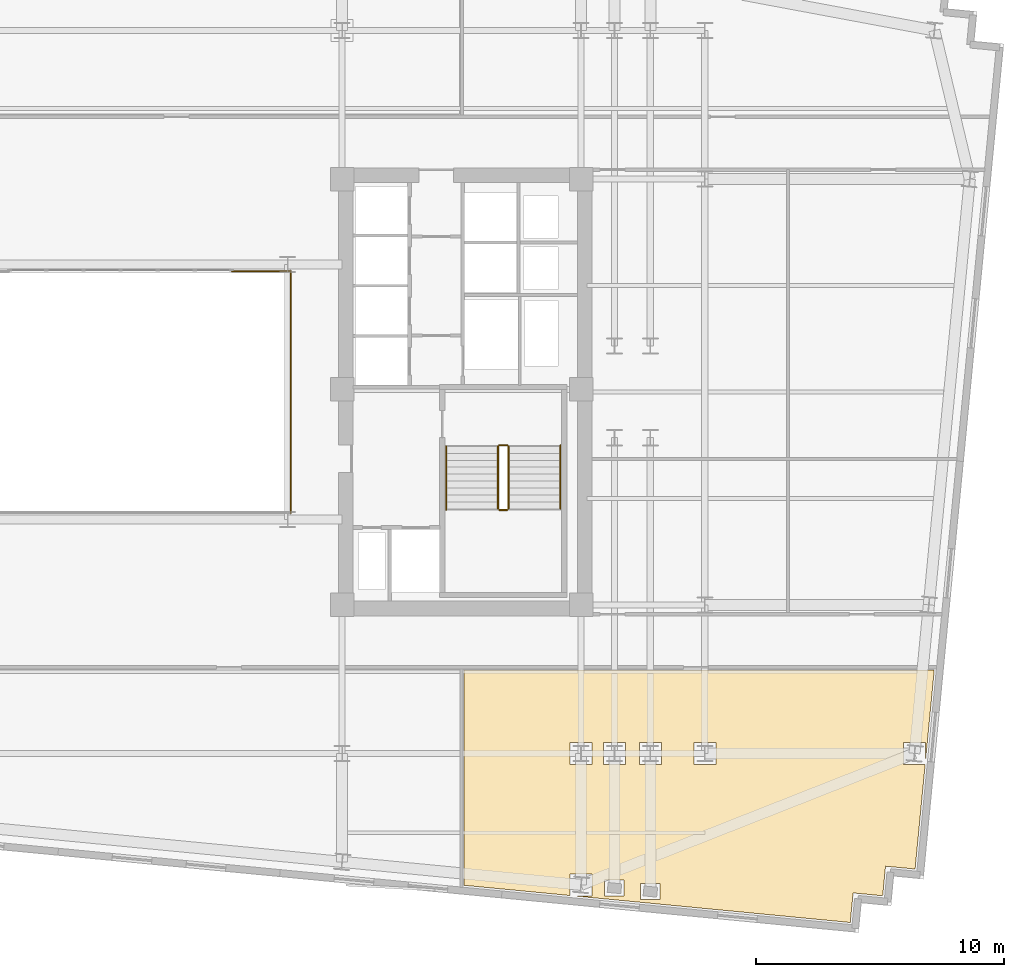
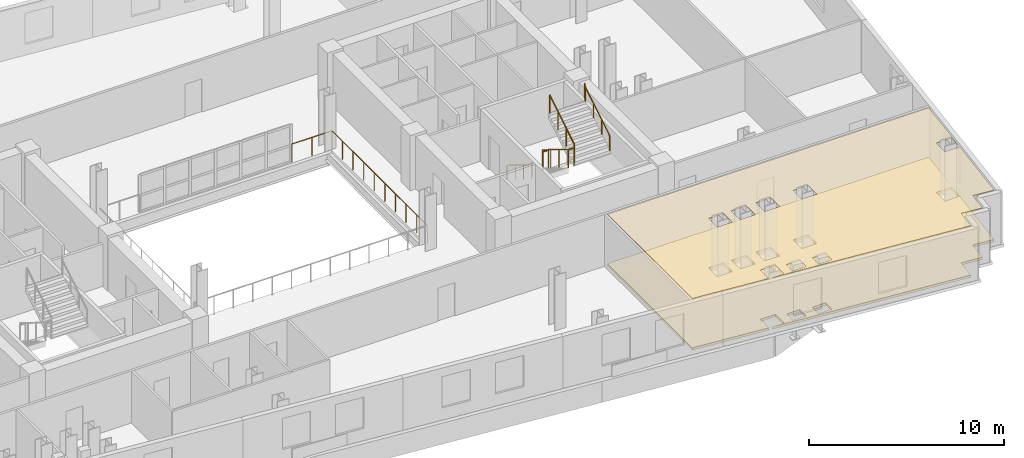
# One storey, part 10 of 11: 8 railings, 2 coverings.
"""IFC4 building model written with IfcOpenShell, lengths in metres."""

from ifc_helpers import new_model, si_unit, direction, frame, origin, origin_2d, place, context, subcontext, project, spatial, polyline, circle, outline, extrude, material, layer, layer_set, type_object, element, save


model = new_model("IFC4")

# Units and contexts
model_context = context("Model", 3, precision=1e-05, world=origin(), true_north=direction((0.0, 1.0)))
body_context = subcontext(model_context, "Body", "Model", "MODEL_VIEW")
ifc_project = project(units=[si_unit("LENGTHUNIT", "METRE"), si_unit("AREAUNIT", "SQUARE_METRE"), si_unit("VOLUMEUNIT", "CUBIC_METRE"), si_unit("PLANEANGLEUNIT", "RADIAN"), si_unit("MASSUNIT", "GRAM", prefix="KILO")], contexts=[model_context])

# Site, building, storey
site_placement = place(None, origin())
site = spatial("IfcSite", under=ifc_project, at=site_placement, CompositionType="ELEMENT")
building_placement = place(site_placement, origin())
building = spatial("IfcBuilding", under=site, at=building_placement, Name="Velakula Bourse", CompositionType="ELEMENT")
storey_placement = place(building_placement, frame((0.0, 0.0, 160.39990234375)))
storey = spatial("IfcBuildingStorey", under=building, at=storey_placement, Name="L43", CompositionType="ELEMENT", Elevation=160.39990234375)

# Coverings
ifc_material_1 = material(Name="Mineral-fibre acoustic suspended ceiling tile", Category="mineral")
ifc_layer_1 = layer(ifc_material_1, 0.0400390625, Name="Mineral-fibre acoustic suspended ceiling tile", Category="mineral")
ifc_layer_set_1 = layer_set([ifc_layer_1], Name="Mineral-fibre acoustic suspended ceiling tile")
covering_type_1 = type_object("IfcCoveringType", Name="COV-CEIL-AC-40", PredefinedType="CEILING", material=ifc_layer_set_1)
covering_1_placement = place(storey_placement, frame((0.0, 0.0, 3.2001953125)))
element("IfcCovering", 1, at=covering_1_placement, inside=storey, type_object=covering_type_1, Name="L43 Tea Room Kitchenette Acoustic Suspended Ceiling", PredefinedType="CEILING", context=body_context, shape_type="SweptSolid", body=[
    extrude(outline(polyline([(32.51611328125, -14.88232421875), (32.51611328125, -14.155029296875), (31.626220703125, -14.155029296875), (31.626220703125, -15.044921875), (32.50048828125, -15.044921875), (32.093505859375, -19.27099609375), (30.899169921875, -19.156005859375), (30.7841796875, -20.3505859375), (29.589599609375, -20.235595703125), (29.474609375, -21.429931640625), (18.3173828125, -20.355712890625), (19.044921875, -20.355712890625), (19.044921875, -19.465576171875), (18.155029296875, -19.465576171875), (18.155029296875, -20.340087890625), (13.865966796875, -19.927001953125), (13.865966796875, -11.22998046875), (32.867919921875, -11.22998046875), (32.51611328125, -14.88232421875)]), holes=[polyline([(18.155029296875, -15.044921875), (19.044921875, -15.044921875), (19.044921875, -14.155029296875), (18.155029296875, -14.155029296875), (18.155029296875, -15.044921875)]), polyline([(21.0048828125, -20.500244140625), (21.794921875, -20.500244140625), (21.794921875, -19.8603515625), (21.0048828125, -19.8603515625), (21.0048828125, -20.500244140625)]), polyline([(19.554931640625, -20.360595703125), (20.344970703125, -20.360595703125), (20.344970703125, -19.720703125), (19.554931640625, -19.720703125), (19.554931640625, -20.360595703125)]), polyline([(19.5048828125, -14.155029296875), (19.5048828125, -15.044921875), (20.39501953125, -15.044921875), (20.39501953125, -14.155029296875), (19.5048828125, -14.155029296875)]), polyline([(23.155029296875, -15.044921875), (24.044921875, -15.044921875), (24.044921875, -14.155029296875), (23.155029296875, -14.155029296875), (23.155029296875, -15.044921875)]), polyline([(20.955078125, -15.044921875), (21.844970703125, -15.044921875), (21.844970703125, -14.155029296875), (20.955078125, -14.155029296875), (20.955078125, -15.044921875)])]), origin(), (0.0, 0.0, 1.0), 0.039794921875),
])
ifc_material_2 = material(Name="Calcium-sulphate antistatic raised access flooring", Category="gypsum")
ifc_layer_2 = layer(ifc_material_2, 0.14990234375, Name="Calcium-sulphate antistatic raised access flooring", Category="gypsum")
ifc_layer_set_2 = layer_set([ifc_layer_2], Name="Calcium-sulphate antistatic raised access flooring")
covering_type_2 = type_object("IfcCoveringType", Name="COV-FLR-RAISED-150", PredefinedType="FLOORING", material=ifc_layer_set_2)
covering_2_placement = place(storey_placement, origin())
element("IfcCovering", 2, at=covering_2_placement, inside=storey, type_object=covering_type_2, Name="L43 Tea Room Kitchenette Raised Trading Access Floor", PredefinedType="FLOORING", context=body_context, shape_type="SweptSolid", body=[
    extrude(outline(polyline([(32.51611328125, -14.88232421875), (32.51611328125, -14.155029296875), (31.626220703125, -14.155029296875), (31.626220703125, -15.044921875), (32.50048828125, -15.044921875), (32.093505859375, -19.27099609375), (30.899169921875, -19.156005859375), (30.7841796875, -20.3505859375), (29.589599609375, -20.235595703125), (29.474609375, -21.429931640625), (18.3173828125, -20.355712890625), (19.044921875, -20.355712890625), (19.044921875, -19.465576171875), (18.155029296875, -19.465576171875), (18.155029296875, -20.340087890625), (13.865966796875, -19.927001953125), (13.865966796875, -11.22998046875), (32.867919921875, -11.22998046875), (32.51611328125, -14.88232421875)]), holes=[polyline([(18.155029296875, -15.044921875), (19.044921875, -15.044921875), (19.044921875, -14.155029296875), (18.155029296875, -14.155029296875), (18.155029296875, -15.044921875)]), polyline([(21.0048828125, -20.500244140625), (21.794921875, -20.500244140625), (21.794921875, -19.8603515625), (21.0048828125, -19.8603515625), (21.0048828125, -20.500244140625)]), polyline([(19.554931640625, -20.360595703125), (20.344970703125, -20.360595703125), (20.344970703125, -19.720703125), (19.554931640625, -19.720703125), (19.554931640625, -20.360595703125)]), polyline([(19.5048828125, -14.155029296875), (19.5048828125, -15.044921875), (20.39501953125, -15.044921875), (20.39501953125, -14.155029296875), (19.5048828125, -14.155029296875)]), polyline([(23.155029296875, -15.044921875), (24.044921875, -15.044921875), (24.044921875, -14.155029296875), (23.155029296875, -14.155029296875), (23.155029296875, -15.044921875)]), polyline([(20.955078125, -15.044921875), (21.844970703125, -15.044921875), (21.844970703125, -14.155029296875), (20.955078125, -14.155029296875), (20.955078125, -15.044921875)])]), origin(), (0.0, 0.0, 1.0), 0.150146484375),
])

# Railings
ifc_material_3 = material(Name="Brushed grade 316 stainless steel", Category="steel")
railing_type_1 = type_object("IfcRailingType", Name="RLG-ATRIUM-1150", PredefinedType="BALUSTRADE", material=ifc_material_3)
railing_1_placement = place(storey_placement, frame((6.8798828125, -4.8798828125, 0.0)))
element("IfcRailing", 3, at=railing_1_placement, inside=storey, type_object=railing_type_1, Name="L43 Central Trading Atrium Balustrade E", PredefinedType="BALUSTRADE", context=body_context, shape_type="SweptSolid", body=[
    extrude(circle(Radius=0.02392578125, at=origin_2d()), frame((0.0, 0.0, 1.1259765625), z_axis=(0.0, 1.0, 0.0), x_axis=(-1.0, 0.0, 0.0)), (0.0, 0.0, 1.0), 9.759765625),
    extrude(circle(Radius=0.02099609375, at=origin_2d()), origin(), (0.0, 0.0, 1.0), 1.101806640625),
    extrude(circle(Radius=0.02099609375, at=origin_2d()), frame((0.0, 1.08447265625, 0.0)), (0.0, 0.0, 1.0), 1.101806640625),
    extrude(circle(Radius=0.02099609375, at=origin_2d()), frame((0.0, 2.1689453125, 0.0)), (0.0, 0.0, 1.0), 1.101806640625),
    extrude(circle(Radius=0.02099609375, at=origin_2d()), frame((0.0, 3.253173828125, 0.0)), (0.0, 0.0, 1.0), 1.101806640625),
    extrude(circle(Radius=0.02099609375, at=origin_2d()), frame((0.0, 4.337646484375, 0.0)), (0.0, 0.0, 1.0), 1.101806640625),
    extrude(circle(Radius=0.02099609375, at=origin_2d()), frame((0.0, 5.422119140625, 0.0)), (0.0, 0.0, 1.0), 1.101806640625),
    extrude(circle(Radius=0.02099609375, at=origin_2d()), frame((0.0, 6.506591796875, 0.0)), (0.0, 0.0, 1.0), 1.101806640625),
    extrude(circle(Radius=0.02099609375, at=origin_2d()), frame((0.0, 7.5908203125, 0.0)), (0.0, 0.0, 1.0), 1.101806640625),
    extrude(circle(Radius=0.02099609375, at=origin_2d()), frame((0.0, 8.67529296875, 0.0)), (0.0, 0.0, 1.0), 1.101806640625),
    extrude(circle(Radius=0.02099609375, at=origin_2d()), frame((0.0, 9.759765625, 0.0)), (0.0, 0.0, 1.0), 1.101806640625),
])
railing_2_placement = place(storey_placement, frame((6.8798828125, 4.8798828125, 0.0)))
element("IfcRailing", 4, at=railing_2_placement, inside=storey, type_object=railing_type_1, Name="L43 Central Trading Atrium Balustrade NE", PredefinedType="BALUSTRADE", context=body_context, shape_type="SweptSolid", body=[
    extrude(circle(Radius=0.02392578125, at=origin_2d()), frame((0.0, 0.0, 1.1259765625), z_axis=(-1.0, 0.0, 0.0), x_axis=(0.0, -1.0, 0.0)), (0.0, 0.0, 1.0), 2.3798828125),
    extrude(circle(Radius=0.02099609375, at=origin_2d()), origin(), (0.0, 0.0, 1.0), 1.101806640625),
    extrude(circle(Radius=0.02099609375, at=origin_2d()), frame((-1.18994140625, 0.0, 0.0)), (0.0, 0.0, 1.0), 1.101806640625),
    extrude(circle(Radius=0.02099609375, at=origin_2d()), frame((-2.3798828125, 0.0, 0.0)), (0.0, 0.0, 1.0), 1.101806640625),
])
railing_type_2 = type_object("IfcRailingType", Name="RLG-STAIR-GUARD-1150", PredefinedType="BALUSTRADE", material=ifc_material_3)
railing_3_placement = place(storey_placement, frame((15.248046875, -2.199951171875, 0.172607421875)))
element("IfcRailing", 5, at=railing_3_placement, inside=storey, type_object=railing_type_2, Name="L43 ST-E1 stair guard 1", PredefinedType="BALUSTRADE", context=body_context, shape_type="SweptSolid", body=[
    extrude(circle(Radius=0.02490234375, at=origin_2d()), frame((0.0, 0.0, 1.125), z_axis=(0.0, -0.851400495292, 0.524516154772), x_axis=(1.0, 0.0, 0.0)), (0.0, 0.0, 1.0), 2.9599609375),
    extrude(circle(Radius=0.02099609375, at=origin_2d()), origin(), (0.0, 0.0, 1.0), 1.099853515625),
    extrude(circle(Radius=0.02099609375, at=origin_2d()), frame((0.0, -0.840087890625, 0.517578125)), (0.0, 0.0, 1.0), 1.099853515625),
    extrude(circle(Radius=0.02099609375, at=origin_2d()), frame((0.0, -1.679931640625, 1.034912109375)), (0.0, 0.0, 1.0), 1.099853515625),
    extrude(circle(Radius=0.02099609375, at=origin_2d()), frame((0.0, -2.52001953125, 1.552490234375)), (0.0, 0.0, 1.0), 1.099853515625),
])
railing_4_placement = place(storey_placement, frame((15.298095703125, -4.77001953125, 1.72509765625)))
element("IfcRailing", 6, at=railing_4_placement, inside=storey, type_object=railing_type_2, Name="L43 ST-E1 stair guard 2", PredefinedType="BALUSTRADE", context=body_context, shape_type="SweptSolid", body=[
    extrude(circle(Radius=0.02490234375, at=origin_2d()), frame((0.0, 0.0, 1.125), z_axis=(1.0, 0.0, 0.0), x_axis=(0.0, 1.0, 0.0)), (0.0, 0.0, 1.0), 0.323974609375),
    extrude(circle(Radius=0.02099609375, at=origin_2d()), origin(), (0.0, 0.0, 1.0), 1.099853515625),
    extrude(circle(Radius=0.02099609375, at=origin_2d()), frame((0.323974609375, 0.0, 0.0)), (0.0, 0.0, 1.0), 1.099853515625),
])
railing_5_placement = place(storey_placement, frame((15.672119140625, -4.719970703125, 1.897705078125)))
element("IfcRailing", 7, at=railing_5_placement, inside=storey, type_object=railing_type_2, Name="L43 ST-E1 stair guard 3", PredefinedType="BALUSTRADE", context=body_context, shape_type="SweptSolid", body=[
    extrude(circle(Radius=0.02490234375, at=origin_2d()), frame((0.0, 0.0, 1.125), z_axis=(0.0, 0.851400495292, 0.524516154772), x_axis=(-1.0, 0.0, 0.0)), (0.0, 0.0, 1.0), 2.9599609375),
    extrude(circle(Radius=0.02099609375, at=origin_2d()), origin(), (0.0, 0.0, 1.0), 1.099853515625),
    extrude(circle(Radius=0.02099609375, at=origin_2d()), frame((0.0, 0.840087890625, 0.517578125)), (0.0, 0.0, 1.0), 1.099853515625),
    extrude(circle(Radius=0.02099609375, at=origin_2d()), frame((0.0, 1.679931640625, 1.034912109375)), (0.0, 0.0, 1.0), 1.099853515625),
    extrude(circle(Radius=0.02099609375, at=origin_2d()), frame((0.0, 2.52001953125, 1.552490234375)), (0.0, 0.0, 1.0), 1.099853515625),
])
railing_6_placement = place(storey_placement, frame((15.298095703125, -2.14990234375, 0.0)))
element("IfcRailing", 8, at=railing_6_placement, inside=storey, type_object=railing_type_2, Name="L43 ST-E1 stair guard 4", PredefinedType="BALUSTRADE", context=body_context, shape_type="SweptSolid", body=[
    extrude(circle(Radius=0.02490234375, at=origin_2d()), frame((0.0, 0.0, 1.125), z_axis=(1.0, 0.0, 0.0), x_axis=(0.0, 1.0, 0.0)), (0.0, 0.0, 1.0), 0.323974609375),
    extrude(circle(Radius=0.02099609375, at=origin_2d()), origin(), (0.0, 0.0, 1.0), 1.099853515625),
    extrude(circle(Radius=0.02099609375, at=origin_2d()), frame((0.323974609375, 0.0, 0.0)), (0.0, 0.0, 1.0), 1.099853515625),
])
railing_type_3 = type_object("IfcRailingType", Name="RLG-STAIR-HAND-920", PredefinedType="HANDRAIL", material=ifc_material_3)
railing_7_placement = place(storey_placement, frame((13.14990234375, -2.199951171875, 0.172607421875)))
element("IfcRailing", 9, at=railing_7_placement, inside=storey, type_object=railing_type_3, Name="L43 ST-E1 stair handrail 1", PredefinedType="HANDRAIL", context=body_context, shape_type="SweptSolid", body=[
    extrude(circle(Radius=0.02099609375, at=origin_2d()), frame((0.0, 0.0, 0.89892578125), z_axis=(0.0, -0.851400495292, 0.524516154772), x_axis=(1.0, 0.0, 0.0)), (0.0, 0.0, 1.0), 2.9599609375),
    extrude(circle(Radius=0.02099609375, at=origin_2d()), frame((0.0, -2.52001953125, 2.451416015625), z_axis=(0.0, -0.22596628056, 0.974135124123), x_axis=(1.0, 0.0, 0.0)), (0.0, 0.0, 1.0), 0.17724609375),
    extrude(circle(Radius=0.02099609375, at=origin_2d()), frame((0.0, -2.56005859375, 2.6240234375), z_axis=(0.0, -1.0, 0.0), x_axis=(1.0, 0.0, 0.0)), (0.0, 0.0, 1.0), 0.0048828125),
    extrude(circle(Radius=0.02099609375, at=origin_2d()), origin(), (0.0, 0.0, 1.0), 0.8779296875),
    extrude(circle(Radius=0.02099609375, at=origin_2d()), frame((0.0, -0.840087890625, 0.517578125)), (0.0, 0.0, 1.0), 0.8779296875),
    extrude(circle(Radius=0.02099609375, at=origin_2d()), frame((0.0, -1.679931640625, 1.034912109375)), (0.0, 0.0, 1.0), 0.8779296875),
    extrude(circle(Radius=0.02099609375, at=origin_2d()), frame((0.0, -2.52001953125, 1.552490234375)), (0.0, 0.0, 1.0), 0.8779296875),
    extrude(circle(Radius=0.02099609375, at=origin_2d()), frame((0.0, -2.56005859375, 1.72509765625)), (0.0, 0.0, 1.0), 0.8779296875),
    extrude(circle(Radius=0.02099609375, at=origin_2d()), frame((0.0, -2.56494140625, 1.72509765625)), (0.0, 0.0, 1.0), 0.8779296875),
])
railing_8_placement = place(storey_placement, frame((17.77001953125, -4.719970703125, 1.897705078125)))
element("IfcRailing", 10, at=railing_8_placement, inside=storey, type_object=railing_type_3, Name="L43 ST-E1 stair handrail 2", PredefinedType="HANDRAIL", context=body_context, shape_type="SweptSolid", body=[
    extrude(circle(Radius=0.02099609375, at=origin_2d()), frame((0.0, 0.0, 0.89892578125), z_axis=(0.0, 0.851400495292, 0.524516154772), x_axis=(-1.0, 0.0, 0.0)), (0.0, 0.0, 1.0), 2.9599609375),
    extrude(circle(Radius=0.02099609375, at=origin_2d()), frame((0.0, 2.52001953125, 2.451416015625), z_axis=(0.0, 0.226269970362, 0.974064628509), x_axis=(-1.0, 0.0, 0.0)), (0.0, 0.0, 1.0), 0.177001953125),
    extrude(circle(Radius=0.02099609375, at=origin_2d()), frame((0.0, 2.56005859375, 2.623779296875), z_axis=(0.0, 1.0, 0.0), x_axis=(-1.0, 0.0, 0.0)), (0.0, 0.0, 1.0), 0.0048828125),
    extrude(circle(Radius=0.02099609375, at=origin_2d()), origin(), (0.0, 0.0, 1.0), 0.8779296875),
    extrude(circle(Radius=0.02099609375, at=origin_2d()), frame((0.0, 0.840087890625, 0.517578125)), (0.0, 0.0, 1.0), 0.8779296875),
    extrude(circle(Radius=0.02099609375, at=origin_2d()), frame((0.0, 1.679931640625, 1.034912109375)), (0.0, 0.0, 1.0), 0.8779296875),
    extrude(circle(Radius=0.02099609375, at=origin_2d()), frame((0.0, 2.52001953125, 1.552490234375)), (0.0, 0.0, 1.0), 0.8779296875),
    extrude(circle(Radius=0.02099609375, at=origin_2d()), frame((0.0, 2.56005859375, 1.724853515625)), (0.0, 0.0, 1.0), 0.8779296875),
    extrude(circle(Radius=0.02099609375, at=origin_2d()), frame((0.0, 2.56494140625, 1.724853515625)), (0.0, 0.0, 1.0), 0.8779296875),
])

save(model, "model.ifc")
